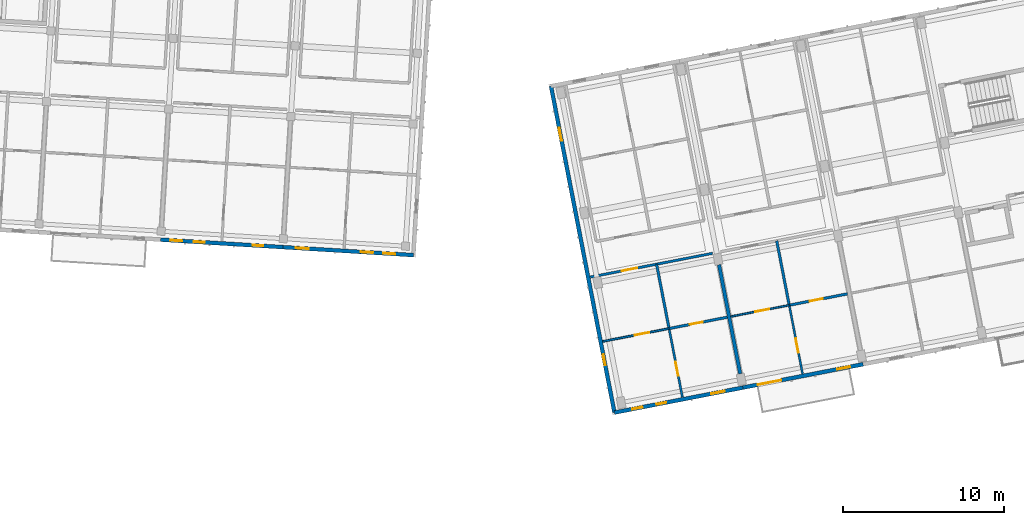
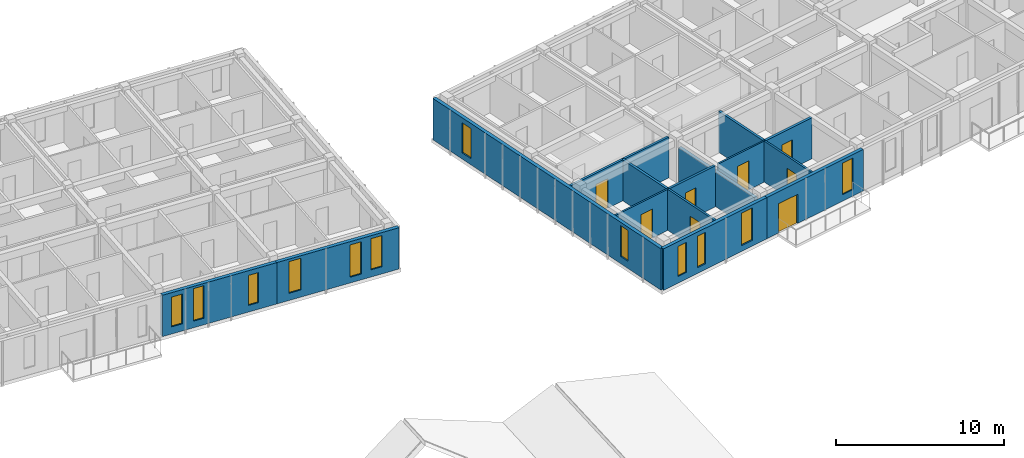
# One storey, part 20 of 74: 15 walls, 12 windows, 8 doors, 20 openings.
"""IFC4 building model written with IfcOpenShell, lengths in metres."""

from ifc_helpers import new_model, si_unit, direction, frame, frame_2d, origin, place, context, subcontext, project, spatial, rectangle, extrude, material, layer, layer_set, type_object, element, fill, save


model = new_model("IFC4")

# Units and contexts
model_context = context("Model", 3, precision=1e-05, world=origin(), true_north=direction((0.0, 1.0)))
body_context = subcontext(model_context, "Body", "Model", "MODEL_VIEW")
ifc_project = project(units=[si_unit("LENGTHUNIT", "METRE"), si_unit("AREAUNIT", "SQUARE_METRE"), si_unit("VOLUMEUNIT", "CUBIC_METRE"), si_unit("PLANEANGLEUNIT", "RADIAN"), si_unit("MASSUNIT", "GRAM", prefix="KILO")], contexts=[model_context])

# Site, building, storey
site_placement = place(None, origin())
site = spatial("IfcSite", under=ifc_project, at=site_placement, CompositionType="ELEMENT")
building_placement = place(site_placement, origin())
building = spatial("IfcBuilding", under=site, at=building_placement, Name="Kestramere Prow Commons", CompositionType="ELEMENT")
storey_placement = place(building_placement, frame((0.0, 0.0, 11.64990234375)))
storey = spatial("IfcBuildingStorey", under=building, at=storey_placement, Name="L03", CompositionType="ELEMENT", Elevation=11.64990234375)

# Wall, openings, windows
ifc_material_1 = material(Name="Fluoropolymer Standing-Seam Zinc-Aluminium Cladding", Category="aluminium")
ifc_layer_1 = layer(ifc_material_1, 0.239990234375)
ifc_layer_set_1 = layer_set([ifc_layer_1], Name="Fluoropolymer Standing-Seam Zinc-Aluminium Cladding")
wall_type_1 = type_object("IfcWallType", Name="EW-SEAM-240", PredefinedType="SOLIDWALL", material=ifc_layer_set_1)
wall_1_placement = place(storey_placement, frame((97.39697265625, 43.65625, 0.0), z_axis=(0.0, 0.0, 1.0), x_axis=(-0.998135549572, 0.061036257095, 0.0)))
wall_1 = element("IfcWall", 1, at=wall_1_placement, inside=storey, type_object=wall_type_1, Name="Block C L03 South Standing-Seam Wall 5", PredefinedType="SOLIDWALL", context=body_context, shape_type="SweptSolid", body=[
    extrude(rectangle(XDim=7.599853515625, YDim=0.239990234375, at=frame_2d((3.7998046875, 0.0))), origin(), (0.0, 0.0, 1.0), 3.0),
])
opening_1_placement = place(wall_1_placement, frame((1.231201171875, 0.0, 0.47998046875)))
opening_1 = element("IfcOpeningElement", 2, at=opening_1_placement, cuts=wall_1, Name="Opening WN-04", PredefinedType="OPENING", context=body_context, shape_type="SweptSolid", body=[
    extrude(rectangle(XDim=0.639892578125, YDim=2.179931640625, at=frame_2d((0.31982421875, 1.08984375))), frame((0.0, 0.135009765625, 0.0), z_axis=(0.0, -1.0, 0.0), x_axis=(1.0, 0.0, 0.0)), (0.0, 0.0, 1.0), 0.27001953125),
])
opening_2_placement = place(wall_1_placement, frame((4.847900390625, 0.0, 0.47998046875)))
opening_2 = element("IfcOpeningElement", 3, at=opening_2_placement, cuts=wall_1, Name="Opening WN-07", PredefinedType="OPENING", context=body_context, shape_type="SweptSolid", body=[
    extrude(rectangle(XDim=0.699951171875, YDim=2.360107421875, at=frame_2d((0.35009765625, 1.18017578125))), frame((0.0, 0.135009765625, 0.0), z_axis=(0.0, -1.0, 0.0), x_axis=(1.0, 0.0, 0.0)), (0.0, 0.0, 1.0), 0.27001953125),
])
opening_3_placement = place(wall_1_placement, frame((6.27001953125, 0.0, 0.52001953125)))
opening_3 = element("IfcOpeningElement", 4, at=opening_3_placement, cuts=wall_1, Name="Opening WN-08", PredefinedType="OPENING", context=body_context, shape_type="SweptSolid", body=[
    extrude(rectangle(XDim=0.719970703125, YDim=2.159912109375, at=frame_2d((0.35986328125, 1.080078125))), frame((0.0, 0.135009765625, 0.0), z_axis=(0.0, -1.0, 0.0), x_axis=(1.0, 0.0, 0.0)), (0.0, 0.0, 1.0), 0.27001953125),
])
ifc_material_2 = material(Name="Low-E Laminated Double Glazing", Category="glass")
window_type_1 = type_object("IfcWindowType", Name="WN-NAR-640A", PartitioningType="SINGLE_PANEL", PredefinedType="WINDOW", material=ifc_material_2)
window_1_placement = place(opening_1_placement, origin())
window_1 = element("IfcWindow", 5, at=window_1_placement, inside=storey, type_object=window_type_1, Name="WN-C-L03-S-4-00", OverallHeight=2.179931640625, OverallWidth=0.639892578125, PartitioningType="SINGLE_PANEL", PredefinedType="WINDOW", context=body_context, shape_type="SweptSolid", body=[
    extrude(rectangle(XDim=0.639892578125, YDim=2.179931640625, at=frame_2d((0.31982421875, 1.08984375))), frame((0.0, 0.030029296875, 0.0), z_axis=(0.0, -1.0, 0.0), x_axis=(1.0, 0.0, 0.0)), (0.0, 0.0, 1.0), 0.06005859375),
])
fill(opening_1, window_1)
window_type_2 = type_object("IfcWindowType", Name="WN-NAR-700A", PartitioningType="SINGLE_PANEL", PredefinedType="WINDOW", material=ifc_material_2)
window_2_placement = place(opening_2_placement, origin())
window_2 = element("IfcWindow", 6, at=window_2_placement, inside=storey, type_object=window_type_2, Name="WN-C-L03-S-4-10", OverallHeight=2.360107421875, OverallWidth=0.699951171875, PartitioningType="SINGLE_PANEL", PredefinedType="WINDOW", context=body_context, shape_type="SweptSolid", body=[
    extrude(rectangle(XDim=0.699951171875, YDim=2.360107421875, at=frame_2d((0.35009765625, 1.18017578125))), frame((0.0, 0.030029296875, 0.0), z_axis=(0.0, -1.0, 0.0), x_axis=(1.0, 0.0, 0.0)), (0.0, 0.0, 1.0), 0.06005859375),
])
fill(opening_2, window_2)
window_type_3 = type_object("IfcWindowType", Name="WN-NAR-720A", PartitioningType="SINGLE_PANEL", PredefinedType="WINDOW", material=ifc_material_2)
window_3_placement = place(opening_3_placement, origin())
window_3 = element("IfcWindow", 7, at=window_3_placement, inside=storey, type_object=window_type_3, Name="WN-C-L03-S-4-11", OverallHeight=2.159912109375, OverallWidth=0.719970703125, PartitioningType="SINGLE_PANEL", PredefinedType="WINDOW", context=body_context, shape_type="SweptSolid", body=[
    extrude(rectangle(XDim=0.719970703125, YDim=2.159912109375, at=frame_2d((0.35986328125, 1.080078125))), frame((0.0, 0.030029296875, 0.0), z_axis=(0.0, -1.0, 0.0), x_axis=(1.0, 0.0, 0.0)), (0.0, 0.0, 1.0), 0.06005859375),
])
fill(opening_3, window_3)

wall_2_placement = place(storey_placement, frame((105.5068359375, 43.16015625, 0.0), z_axis=(0.0, 0.0, 1.0), x_axis=(-0.998134248939, 0.061057522844, 0.0)))
wall_2 = element("IfcWall", 8, at=wall_2_placement, inside=storey, type_object=wall_type_1, Name="Block C L03 South Standing-Seam Wall 6", PredefinedType="SOLIDWALL", context=body_context, shape_type="SweptSolid", body=[
    extrude(rectangle(XDim=8.125, YDim=0.239990234375, at=frame_2d((4.0625, 0.0))), origin(), (0.0, 0.0, 1.0), 3.0),
])
opening_4_placement = place(wall_2_placement, frame((1.135009765625, 0.0, 0.52001953125)))
opening_4 = element("IfcOpeningElement", 9, at=opening_4_placement, cuts=wall_2, Name="Opening WN-09", PredefinedType="OPENING", context=body_context, shape_type="SweptSolid", body=[
    extrude(rectangle(XDim=0.739990234375, YDim=2.260009765625, at=frame_2d((0.3701171875, 1.1298828125))), frame((0.0, 0.135009765625, 0.0), z_axis=(0.0, -1.0, 0.0), x_axis=(1.0, 0.0, 0.0)), (0.0, 0.0, 1.0), 0.27001953125),
])
opening_5_placement = place(wall_2_placement, frame((2.51708984375, 0.0, 0.419921875)))
opening_5 = element("IfcOpeningElement", 10, at=opening_5_placement, cuts=wall_2, Name="Opening WN-10", PredefinedType="OPENING", context=body_context, shape_type="SweptSolid", body=[
    extrude(rectangle(XDim=0.760009765625, YDim=2.340087890625, at=frame_2d((0.3798828125, 1.169921875))), frame((0.0, 0.135009765625, 0.0), z_axis=(0.0, -1.0, 0.0), x_axis=(1.0, 0.0, 0.0)), (0.0, 0.0, 1.0), 0.27001953125),
])
opening_6_placement = place(wall_2_placement, frame((6.51171875, 0.0, 0.52001953125)))
opening_6 = element("IfcOpeningElement", 11, at=opening_6_placement, cuts=wall_2, Name="Opening WN-12", PredefinedType="OPENING", context=body_context, shape_type="SweptSolid", body=[
    extrude(rectangle(XDim=0.800048828125, YDim=2.300048828125, at=frame_2d((0.39990234375, 1.14990234375))), frame((0.0, 0.135009765625, 0.0), z_axis=(0.0, -1.0, 0.0), x_axis=(1.0, 0.0, 0.0)), (0.0, 0.0, 1.0), 0.27001953125),
])
window_type_4 = type_object("IfcWindowType", Name="WN-NAR-740A", PartitioningType="SINGLE_PANEL", PredefinedType="WINDOW", material=ifc_material_2)
window_4_placement = place(opening_4_placement, origin())
window_4 = element("IfcWindow", 12, at=window_4_placement, inside=storey, type_object=window_type_4, Name="WN-C-L03-S-5-00", OverallHeight=2.260009765625, OverallWidth=0.739990234375, PartitioningType="SINGLE_PANEL", PredefinedType="WINDOW", context=body_context, shape_type="SweptSolid", body=[
    extrude(rectangle(XDim=0.739990234375, YDim=2.260009765625, at=frame_2d((0.3701171875, 1.1298828125))), frame((0.0, 0.030029296875, 0.0), z_axis=(0.0, -1.0, 0.0), x_axis=(1.0, 0.0, 0.0)), (0.0, 0.0, 1.0), 0.06005859375),
])
fill(opening_4, window_4)
window_type_5 = type_object("IfcWindowType", Name="WN-NAR-760A", PartitioningType="SINGLE_PANEL", PredefinedType="WINDOW", material=ifc_material_2)
window_5_placement = place(opening_5_placement, origin())
window_5 = element("IfcWindow", 13, at=window_5_placement, inside=storey, type_object=window_type_5, Name="WN-C-L03-S-5-01", OverallHeight=2.340087890625, OverallWidth=0.760009765625, PartitioningType="SINGLE_PANEL", PredefinedType="WINDOW", context=body_context, shape_type="SweptSolid", body=[
    extrude(rectangle(XDim=0.760009765625, YDim=2.340087890625, at=frame_2d((0.3798828125, 1.169921875))), frame((0.0, 0.030029296875, 0.0), z_axis=(0.0, -1.0, 0.0), x_axis=(1.0, 0.0, 0.0)), (0.0, 0.0, 1.0), 0.06005859375),
])
fill(opening_5, window_5)
window_type_6 = type_object("IfcWindowType", Name="WN-NAR-800A", PartitioningType="SINGLE_PANEL", PredefinedType="WINDOW", material=ifc_material_2)
window_6_placement = place(opening_6_placement, origin())
window_6 = element("IfcWindow", 14, at=window_6_placement, inside=storey, type_object=window_type_6, Name="WN-C-L03-S-5-10", OverallHeight=2.300048828125, OverallWidth=0.800048828125, PartitioningType="SINGLE_PANEL", PredefinedType="WINDOW", context=body_context, shape_type="SweptSolid", body=[
    extrude(rectangle(XDim=0.800048828125, YDim=2.300048828125, at=frame_2d((0.39990234375, 1.14990234375))), frame((0.0, 0.030029296875, 0.0), z_axis=(0.0, -1.0, 0.0), x_axis=(1.0, 0.0, 0.0)), (0.0, 0.0, 1.0), 0.06005859375),
])
fill(opening_6, window_6)

wall_3_placement = place(storey_placement, frame((125.96044921875, 34.934814453125, 0.0), z_axis=(0.0, 0.0, 1.0), x_axis=(-0.981627273155, -0.190808533872, 0.0)))
wall_3 = element("IfcWall", 15, at=wall_3_placement, inside=storey, type_object=wall_type_1, Name="Block D L03 South Standing-Seam Wall 1", PredefinedType="SOLIDWALL", context=body_context, shape_type="SweptSolid", body=[
    extrude(rectangle(XDim=8.124755859375, YDim=0.239990234375, at=frame_2d((4.0625, 0.0))), origin(), (0.0, 0.0, 1.0), 3.0),
])
opening_7_placement = place(wall_3_placement, frame((1.138916015625, 0.0, 0.419921875)))
opening_7 = element("IfcOpeningElement", 16, at=opening_7_placement, cuts=wall_3, Name="Opening WN-15", PredefinedType="OPENING", context=body_context, shape_type="SweptSolid", body=[
    extrude(rectangle(XDim=0.860107421875, YDim=2.360107421875, at=frame_2d((0.43017578125, 1.18017578125))), frame((0.0, 0.135009765625, 0.0), z_axis=(0.0, -1.0, 0.0), x_axis=(1.0, 0.0, 0.0)), (0.0, 0.0, 1.0), 0.27001953125),
])
opening_8_placement = place(wall_3_placement, frame((4.847900390625, 0.0, 0.419921875)))
opening_8 = element("IfcOpeningElement", 17, at=opening_8_placement, cuts=wall_3, Name="Opening WN-03", PredefinedType="OPENING", context=body_context, shape_type="SweptSolid", body=[
    extrude(rectangle(XDim=0.6201171875, YDim=2.280029296875, at=frame_2d((0.31005859375, 1.14013671875))), frame((0.0, 0.135009765625, 0.0), z_axis=(0.0, -1.0, 0.0), x_axis=(1.0, 0.0, 0.0)), (0.0, 0.0, 1.0), 0.27001953125),
])
opening_9_placement = place(wall_3_placement, frame((6.35009765625, 0.0, 0.47998046875)))
opening_9 = element("IfcOpeningElement", 18, at=opening_9_placement, cuts=wall_3, Name="Opening WN-04", PredefinedType="OPENING", context=body_context, shape_type="SweptSolid", body=[
    extrude(rectangle(XDim=0.639892578125, YDim=2.179931640625, at=frame_2d((0.31982421875, 1.08984375))), frame((0.0, 0.135009765625, 0.0), z_axis=(0.0, -1.0, 0.0), x_axis=(1.0, 0.0, 0.0)), (0.0, 0.0, 1.0), 0.27001953125),
])
window_type_7 = type_object("IfcWindowType", Name="WN-NAR-620A", PartitioningType="SINGLE_PANEL", PredefinedType="WINDOW", material=ifc_material_2)
window_7_placement = place(opening_8_placement, origin())
window_7 = element("IfcWindow", 19, at=window_7_placement, inside=storey, type_object=window_type_7, Name="WN-D-L03-S-0-10", OverallHeight=2.280029296875, OverallWidth=0.6201171875, PartitioningType="SINGLE_PANEL", PredefinedType="WINDOW", context=body_context, shape_type="SweptSolid", body=[
    extrude(rectangle(XDim=0.6201171875, YDim=2.280029296875, at=frame_2d((0.31005859375, 1.14013671875))), frame((0.0, 0.030029296875, 0.0), z_axis=(0.0, -1.0, 0.0), x_axis=(1.0, 0.0, 0.0)), (0.0, 0.0, 1.0), 0.06005859375),
])
fill(opening_8, window_7)
window_8_placement = place(opening_9_placement, origin())
window_8 = element("IfcWindow", 20, at=window_8_placement, inside=storey, type_object=window_type_1, Name="WN-D-L03-S-0-11", OverallHeight=2.179931640625, OverallWidth=0.639892578125, PartitioningType="SINGLE_PANEL", PredefinedType="WINDOW", context=body_context, shape_type="SweptSolid", body=[
    extrude(rectangle(XDim=0.639892578125, YDim=2.179931640625, at=frame_2d((0.31982421875, 1.08984375))), frame((0.0, 0.030029296875, 0.0), z_axis=(0.0, -1.0, 0.0), x_axis=(1.0, 0.0, 0.0)), (0.0, 0.0, 1.0), 0.06005859375),
])
fill(opening_9, window_8)
window_type_8 = type_object("IfcWindowType", Name="WN-NAR-860A", PartitioningType="DOUBLE_PANEL_VERTICAL", PredefinedType="WINDOW", material=ifc_material_2)
window_9_placement = place(opening_7_placement, origin())
window_9 = element("IfcWindow", 21, at=window_9_placement, inside=storey, type_object=window_type_8, Name="WN-D-L03-S-0-00", OverallHeight=2.360107421875, OverallWidth=0.860107421875, PartitioningType="SINGLE_PANEL", PredefinedType="WINDOW", context=body_context, shape_type="SweptSolid", body=[
    extrude(rectangle(XDim=0.860107421875, YDim=2.360107421875, at=frame_2d((0.43017578125, 1.18017578125))), frame((0.0, 0.030029296875, 0.0), z_axis=(0.0, -1.0, 0.0), x_axis=(1.0, 0.0, 0.0)), (0.0, 0.0, 1.0), 0.06005859375),
])
fill(opening_7, window_9)

# Wall, openings, door, window
wall_4_placement = place(storey_placement, frame((133.4208984375, 36.385009765625, 0.0), z_axis=(0.0, 0.0, 1.0), x_axis=(-0.981626422232, -0.190812911449, 0.0)))
wall_4 = element("IfcWall", 22, at=wall_4_placement, inside=storey, type_object=wall_type_1, Name="Block D L03 South Standing-Seam Wall 2", PredefinedType="SOLIDWALL", context=body_context, shape_type="SweptSolid", body=[
    extrude(rectangle(XDim=7.60009765625, YDim=0.239990234375, at=frame_2d((3.800048828125, 0.0))), origin(), (0.0, 0.0, 1.0), 3.0),
])
opening_10_placement = place(wall_4_placement, frame((5.1689453125, 0.0, 0.0)))
opening_10 = element("IfcOpeningElement", 23, at=opening_10_placement, cuts=wall_4, Name="Opening GD-BAL-01", PredefinedType="OPENING", context=body_context, shape_type="SweptSolid", body=[
    extrude(rectangle(XDim=1.5, YDim=2.1201171875, at=frame_2d((0.75, 1.06005859375))), frame((0.0, 0.135009765625, 0.0), z_axis=(0.0, -1.0, 0.0), x_axis=(1.0, 0.0, 0.0)), (0.0, 0.0, 1.0), 0.27001953125),
])
opening_11_placement = place(wall_4_placement, frame((0.830078125, 0.0, 0.4599609375)))
opening_11 = element("IfcOpeningElement", 24, at=opening_11_placement, cuts=wall_4, Name="Opening WN-12", PredefinedType="OPENING", context=body_context, shape_type="SweptSolid", body=[
    extrude(rectangle(XDim=0.800048828125, YDim=2.300048828125, at=frame_2d((0.39990234375, 1.14990234375))), frame((0.0, 0.135009765625, 0.0), z_axis=(0.0, -1.0, 0.0), x_axis=(1.0, 0.0, 0.0)), (0.0, 0.0, 1.0), 0.27001953125),
])
ifc_material_3 = material(Name="Thermally-Broken Anodised Aluminium Glazed", Category="aluminium")
door_type_1 = type_object("IfcDoorType", Name="GD-BAL-1500", OperationType="SLIDING_TO_RIGHT", PredefinedType="DOOR", material=ifc_material_3)
door_1_placement = place(opening_10_placement, origin())
door_1 = element("IfcDoor", 25, at=door_1_placement, inside=storey, type_object=door_type_1, Name="Block D L03 Balcony Door 2", OperationType="SLIDING_TO_RIGHT", OverallHeight=2.1201171875, OverallWidth=1.5, PredefinedType="DOOR", context=body_context, shape_type="SweptSolid", body=[
    extrude(rectangle(XDim=1.5, YDim=2.1201171875, at=frame_2d((0.75, 1.06005859375))), frame((0.0, 0.02490234375, 0.0), z_axis=(0.0, -1.0, 0.0), x_axis=(1.0, 0.0, 0.0)), (0.0, 0.0, 1.0), 0.050048828125),
])
fill(opening_10, door_1)
window_10_placement = place(opening_11_placement, origin())
window_10 = element("IfcWindow", 26, at=window_10_placement, inside=storey, type_object=window_type_6, Name="WN-D-L03-SR-1", OverallHeight=2.300048828125, OverallWidth=0.800048828125, PartitioningType="SINGLE_PANEL", PredefinedType="WINDOW", context=body_context, shape_type="SweptSolid", body=[
    extrude(rectangle(XDim=0.800048828125, YDim=2.300048828125, at=frame_2d((0.39990234375, 1.14990234375))), frame((0.0, 0.030029296875, 0.0), z_axis=(0.0, -1.0, 0.0), x_axis=(1.0, 0.0, 0.0)), (0.0, 0.0, 1.0), 0.06005859375),
])
fill(opening_11, window_10)

# Wall, openings, windows
wall_5_placement = place(storey_placement, frame((117.98486328125, 33.384521484375, 0.0), z_axis=(0.0, 0.0, 1.0), x_axis=(-0.190808900739, 0.981627201843, 0.0)))
wall_5 = element("IfcWall", 27, at=wall_5_placement, inside=storey, type_object=wall_type_1, Name="Block D L03 EAV Facet Wall", PredefinedType="SOLIDWALL", context=body_context, shape_type="SweptSolid", body=[
    extrude(rectangle(XDim=20.64990234375, YDim=0.239990234375, at=frame_2d((10.324951171875, 0.0))), origin(), (0.0, 0.0, 1.0), 3.0),
])
opening_12_placement = place(wall_5_placement, frame((2.989990234375, 0.0, 0.52001953125)))
opening_12 = element("IfcOpeningElement", 28, at=opening_12_placement, cuts=wall_5, Name="Opening WN-06", PredefinedType="OPENING", context=body_context, shape_type="SweptSolid", body=[
    extrude(rectangle(XDim=0.679931640625, YDim=2.239990234375, at=frame_2d((0.33984375, 1.1201171875))), frame((0.0, 0.135009765625, 0.0), z_axis=(0.0, -1.0, 0.0), x_axis=(1.0, 0.0, 0.0)), (0.0, 0.0, 1.0), 0.27001953125),
])
opening_13_placement = place(wall_5_placement, frame((17.199951171875, 0.0, 0.449951171875)))
opening_13 = element("IfcOpeningElement", 29, at=opening_13_placement, cuts=wall_5, Name="Opening WN-13", PredefinedType="OPENING", context=body_context, shape_type="SweptSolid", body=[
    extrude(rectangle(XDim=0.820068359375, YDim=2.179931640625, at=frame_2d((0.41015625, 1.08984375))), frame((0.0, 0.135009765625, 0.0), z_axis=(0.0, -1.0, 0.0), x_axis=(1.0, 0.0, 0.0)), (0.0, 0.0, 1.0), 0.27001953125),
])
window_type_9 = type_object("IfcWindowType", Name="WN-NAR-680A", PartitioningType="SINGLE_PANEL", PredefinedType="WINDOW", material=ifc_material_2)
window_11_placement = place(opening_12_placement, origin())
window_11 = element("IfcWindow", 30, at=window_11_placement, inside=storey, type_object=window_type_9, Name="WN-D-L03-EAV-0", OverallHeight=2.239990234375, OverallWidth=0.679931640625, PartitioningType="SINGLE_PANEL", PredefinedType="WINDOW", context=body_context, shape_type="SweptSolid", body=[
    extrude(rectangle(XDim=0.679931640625, YDim=2.239990234375, at=frame_2d((0.33984375, 1.1201171875))), frame((0.0, 0.030029296875, 0.0), z_axis=(0.0, -1.0, 0.0), x_axis=(1.0, 0.0, 0.0)), (0.0, 0.0, 1.0), 0.06005859375),
])
fill(opening_12, window_11)
window_type_10 = type_object("IfcWindowType", Name="WN-NAR-820A", PartitioningType="DOUBLE_PANEL_VERTICAL", PredefinedType="WINDOW", material=ifc_material_2)
window_12_placement = place(opening_13_placement, origin())
window_12 = element("IfcWindow", 31, at=window_12_placement, inside=storey, type_object=window_type_10, Name="WN-D-L03-EAV-1", OverallHeight=2.179931640625, OverallWidth=0.820068359375, PartitioningType="SINGLE_PANEL", PredefinedType="WINDOW", context=body_context, shape_type="SweptSolid", body=[
    extrude(rectangle(XDim=0.820068359375, YDim=2.179931640625, at=frame_2d((0.41015625, 1.08984375))), frame((0.0, 0.030029296875, 0.0), z_axis=(0.0, -1.0, 0.0), x_axis=(1.0, 0.0, 0.0)), (0.0, 0.0, 1.0), 0.06005859375),
])
fill(opening_13, window_12)

# Wall, opening, door
ifc_material_4 = material(Name="Fire-Rated Calcium Silicate Wall")
ifc_layer_2 = layer(ifc_material_4, 0.155029296875)
ifc_layer_set_2 = layer_set([ifc_layer_2], Name="Fire-Rated Calcium Silicate Wall")
wall_type_2 = type_object("IfcWallType", Name="W-FIRE-150", PredefinedType="PARTITIONING", material=ifc_layer_set_2)
wall_6_placement = place(storey_placement, frame((116.48193359375, 41.79736328125, 0.0), z_axis=(0.0, 0.0, 1.0), x_axis=(0.981629678105, 0.190796161028, 0.0)))
wall_6 = element("IfcWall", 32, at=wall_6_placement, inside=storey, type_object=wall_type_2, Name="Interior Partition PW-D-L03-CS-0", PredefinedType="PARTITIONING", context=body_context, shape_type="SweptSolid", body=[
    extrude(rectangle(XDim=7.735107421875, YDim=0.155029296875, at=frame_2d((3.86767578125, 0.0))), origin(), (0.0, 0.0, 1.0), 2.97021484375),
])
opening_14_placement = place(wall_6_placement, frame((1.985107421875, 0.0, 0.0)))
opening_14 = element("IfcOpeningElement", 33, at=opening_14_placement, cuts=wall_6, Name="Opening ID-04", PredefinedType="OPENING", context=body_context, shape_type="SweptSolid", body=[
    extrude(rectangle(XDim=0.97998046875, YDim=2.14990234375, at=frame_2d((0.489990234375, 1.074951171875))), frame((0.0, 0.092529296875, 0.0), z_axis=(0.0, -1.0, 0.0), x_axis=(1.0, 0.0, 0.0)), (0.0, 0.0, 1.0), 0.18505859375),
])
ifc_material_5 = material(Name="Hardwood Fire-Rated Flat Entrance Door", Category="wood")
door_type_2 = type_object("IfcDoorType", Name="FD-ENT-01", OperationType="NOTDEFINED", PredefinedType="DOOR", material=ifc_material_5)
door_2_placement = place(opening_14_placement, origin())
door_2 = element("IfcDoor", 34, at=door_2_placement, inside=storey, type_object=door_type_2, Name="Interior Door DR-D-L03-ENT-S0", OperationType="SINGLE_SWING_RIGHT", OverallHeight=2.14990234375, OverallWidth=0.97998046875, PredefinedType="DOOR", context=body_context, shape_type="SweptSolid", body=[
    extrude(rectangle(XDim=0.97998046875, YDim=2.14990234375, at=frame_2d((0.489990234375, 1.074951171875))), frame((0.0, 0.02490234375, 0.0), z_axis=(0.0, -1.0, 0.0), x_axis=(1.0, 0.0, 0.0)), (0.0, 0.0, 1.0), 0.050048828125),
])
fill(opening_14, door_2)

ifc_material_6 = material(Name="Gypsum Acoustic Drywall")
ifc_layer_3 = layer(ifc_material_6, 0.110107421875)
ifc_layer_set_3 = layer_set([ifc_layer_3], Name="Gypsum Acoustic Drywall")
wall_type_3 = type_object("IfcWallType", Name="W-PART-110", PredefinedType="PARTITIONING", material=ifc_layer_set_3)
wall_7_placement = place(storey_placement, frame((125.219482421875, 39.349609375, 0.0), z_axis=(0.0, 0.0, 1.0), x_axis=(0.981628834294, 0.190800502313, 0.0)))
wall_7 = element("IfcWall", 35, at=wall_7_placement, inside=storey, type_object=wall_type_3, Name="Interior Partition PW-D-L03-MIDS1-1", PredefinedType="PARTITIONING", context=body_context, shape_type="SweptSolid", body=[
    extrude(rectangle(XDim=3.68505859375, YDim=0.110107421875, at=frame_2d((1.842529296875, 0.0))), origin(), (0.0, 0.0, 1.0), 2.97021484375),
])
opening_15_placement = place(wall_7_placement, frame((1.52490234375, 0.0, 0.0)))
opening_15 = element("IfcOpeningElement", 36, at=opening_15_placement, cuts=wall_7, Name="Opening ID-08", PredefinedType="OPENING", context=body_context, shape_type="SweptSolid", body=[
    extrude(rectangle(XDim=0.89990234375, YDim=2.10009765625, at=frame_2d((0.449951171875, 1.050048828125))), frame((0.0, 0.070068359375, 0.0), z_axis=(0.0, -1.0, 0.0), x_axis=(1.0, 0.0, 0.0)), (0.0, 0.0, 1.0), 0.14013671875),
])
ifc_material_7 = material(Name="Engineered Timber Flush Door", Category="wood")
door_type_3 = type_object("IfcDoorType", Name="D-RM-01", OperationType="NOTDEFINED", PredefinedType="DOOR", material=ifc_material_7)
door_3_placement = place(opening_15_placement, origin())
door_3 = element("IfcDoor", 37, at=door_3_placement, inside=storey, type_object=door_type_3, Name="Interior Door DR-D-L03-KL-S1", OperationType="SINGLE_SWING_RIGHT", OverallHeight=2.10009765625, OverallWidth=0.89990234375, PredefinedType="DOOR", context=body_context, shape_type="SweptSolid", body=[
    extrude(rectangle(XDim=0.89990234375, YDim=2.10009765625, at=frame_2d((0.449951171875, 1.050048828125))), frame((0.0, 0.02490234375, 0.0), z_axis=(0.0, -1.0, 0.0), x_axis=(1.0, 0.0, 0.0)), (0.0, 0.0, 1.0), 0.050048828125),
])
fill(opening_15, door_3)

ifc_material_8 = material(Name="Lightweight Blockwork and Plaster", Category="masonry")
ifc_layer_4 = layer(ifc_material_8, 0.1201171875)
ifc_layer_set_4 = layer_set([ifc_layer_4], Name="Lightweight Blockwork and Plaster")
wall_type_4 = type_object("IfcWallType", Name="W-PART-120", PredefinedType="PARTITIONING", material=ifc_layer_set_4)
wall_8_placement = place(storey_placement, frame((117.258544921875, 37.802001953125, 0.0), z_axis=(0.0, 0.0, 1.0), x_axis=(0.981622961106, 0.19083071616, 0.0)))
wall_8 = element("IfcWall", 38, at=wall_8_placement, inside=storey, type_object=wall_type_4, Name="Interior Partition PW-D-L03-MIDS1-0", PredefinedType="PARTITIONING", context=body_context, shape_type="SweptSolid", body=[
    extrude(rectangle(XDim=4.195068359375, YDim=0.1201171875, at=frame_2d((2.09765625, 0.0))), origin(), (0.0, 0.0, 1.0), 2.97021484375),
])
opening_16_placement = place(wall_8_placement, frame((2.034912109375, 0.0, 0.0)))
opening_16 = element("IfcOpeningElement", 39, at=opening_16_placement, cuts=wall_8, Name="Opening ID-08", PredefinedType="OPENING", context=body_context, shape_type="SweptSolid", body=[
    extrude(rectangle(XDim=0.89990234375, YDim=2.10009765625, at=frame_2d((0.449951171875, 1.050048828125))), frame((0.0, 0.074951171875, 0.0), z_axis=(0.0, -1.0, 0.0), x_axis=(1.0, 0.0, 0.0)), (0.0, 0.0, 1.0), 0.150146484375),
])
door_4_placement = place(opening_16_placement, origin())
door_4 = element("IfcDoor", 40, at=door_4_placement, inside=storey, type_object=door_type_3, Name="Interior Door DR-D-L03-KL-S0", OperationType="SINGLE_SWING_RIGHT", OverallHeight=2.10009765625, OverallWidth=0.89990234375, PredefinedType="DOOR", context=body_context, shape_type="SweptSolid", body=[
    extrude(rectangle(XDim=0.89990234375, YDim=2.10009765625, at=frame_2d((0.449951171875, 1.050048828125))), frame((0.0, 0.02490234375, 0.0), z_axis=(0.0, -1.0, 0.0), x_axis=(1.0, 0.0, 0.0)), (0.0, 0.0, 1.0), 0.050048828125),
])
fill(opening_16, door_4)

ifc_layer_5 = layer(ifc_material_8, 0.1298828125)
ifc_layer_set_5 = layer_set([ifc_layer_5], Name="Lightweight Blockwork and Plaster")
wall_type_5 = type_object("IfcWallType", Name="W-PART-130", PredefinedType="PARTITIONING", material=ifc_layer_set_5)
wall_9_placement = place(storey_placement, frame((129.6650390625, 35.79248046875, 0.0), z_axis=(0.0, 0.0, 1.0), x_axis=(-0.190812443151, 0.981626513262, 0.0)))
wall_9 = element("IfcWall", 41, at=wall_9_placement, inside=storey, type_object=wall_type_5, Name="Interior Partition PW-D-L03-LB-S1", PredefinedType="PARTITIONING", context=body_context, shape_type="SweptSolid", body=[
    extrude(rectangle(XDim=4.340087890625, YDim=0.1298828125, at=frame_2d((2.169921875, 0.0))), origin(), (0.0, 0.0, 1.0), 2.97021484375),
])
opening_17_placement = place(wall_9_placement, frame((1.35009765625, 0.0, 0.0)))
opening_17 = element("IfcOpeningElement", 42, at=opening_17_placement, cuts=wall_9, Name="Opening ID-10", PredefinedType="OPENING", context=body_context, shape_type="SweptSolid", body=[
    extrude(rectangle(XDim=0.8798828125, YDim=2.10009765625, at=frame_2d((0.43994140625, 1.050048828125))), frame((0.0, 0.079833984375, 0.0), z_axis=(0.0, -1.0, 0.0), x_axis=(1.0, 0.0, 0.0)), (0.0, 0.0, 1.0), 0.159912109375),
])
ifc_material_9 = material(Name="Engineered Timber Bedroom Door", Category="wood")
door_type_4 = type_object("IfcDoorType", Name="D-RM-03", OperationType="NOTDEFINED", PredefinedType="DOOR", material=ifc_material_9)
door_5_placement = place(opening_17_placement, origin())
door_5 = element("IfcDoor", 43, at=door_5_placement, inside=storey, type_object=door_type_4, Name="Interior Door DR-D-L03-BED-S1", OperationType="SINGLE_SWING_RIGHT", OverallHeight=2.10009765625, OverallWidth=0.8798828125, PredefinedType="DOOR", context=body_context, shape_type="SweptSolid", body=[
    extrude(rectangle(XDim=0.8798828125, YDim=2.10009765625, at=frame_2d((0.43994140625, 1.050048828125))), frame((0.0, 0.02490234375, 0.0), z_axis=(0.0, -1.0, 0.0), x_axis=(1.0, 0.0, 0.0)), (0.0, 0.0, 1.0), 0.050048828125),
])
fill(opening_17, door_5)

ifc_material_10 = material(Name="Masonry Compartment Wall", Category="masonry")
ifc_layer_6 = layer(ifc_material_10, 0.139892578125)
ifc_layer_set_6 = layer_set([ifc_layer_6], Name="Masonry Compartment Wall")
wall_type_6 = type_object("IfcWallType", Name="W-PART-140", PredefinedType="PARTITIONING", material=ifc_layer_set_6)
wall_10_placement = place(storey_placement, frame((122.20458984375, 34.34228515625, 0.0), z_axis=(0.0, 0.0, 1.0), x_axis=(-0.190812443151, 0.981626513262, 0.0)))
wall_10 = element("IfcWall", 44, at=wall_10_placement, inside=storey, type_object=wall_type_6, Name="Interior Partition PW-D-L03-LB-S0", PredefinedType="PARTITIONING", context=body_context, shape_type="SweptSolid", body=[
    extrude(rectangle(XDim=4.340087890625, YDim=0.139892578125, at=frame_2d((2.169921875, 0.0))), origin(), (0.0, 0.0, 1.0), 2.97021484375),
])
opening_18_placement = place(wall_10_placement, frame((1.35009765625, 0.0, 0.0)))
opening_18 = element("IfcOpeningElement", 45, at=opening_18_placement, cuts=wall_10, Name="Opening ID-08", PredefinedType="OPENING", context=body_context, shape_type="SweptSolid", body=[
    extrude(rectangle(XDim=0.89990234375, YDim=2.10009765625, at=frame_2d((0.449951171875, 1.050048828125))), frame((0.0, 0.0849609375, 0.0), z_axis=(0.0, -1.0, 0.0), x_axis=(1.0, 0.0, 0.0)), (0.0, 0.0, 1.0), 0.169921875),
])
door_6_placement = place(opening_18_placement, origin())
door_6 = element("IfcDoor", 46, at=door_6_placement, inside=storey, type_object=door_type_3, Name="Interior Door DR-D-L03-BED-S0", OperationType="SINGLE_SWING_LEFT", OverallHeight=2.10009765625, OverallWidth=0.89990234375, PredefinedType="DOOR", context=body_context, shape_type="SweptSolid", body=[
    extrude(rectangle(XDim=0.89990234375, YDim=2.10009765625, at=frame_2d((0.449951171875, 1.050048828125))), frame((0.0, 0.02490234375, 0.0), z_axis=(0.0, -1.0, 0.0), x_axis=(1.0, 0.0, 0.0)), (0.0, 0.0, 1.0), 0.050048828125),
])
fill(opening_18, door_6)

ifc_material_11 = material(Name="Waterproof Sanitary Masonry Wall", Category="masonry")
ifc_layer_7 = layer(ifc_material_11, 0.1650390625)
ifc_layer_set_7 = layer_set([ifc_layer_7], Name="Waterproof Sanitary Masonry Wall")
wall_type_7 = type_object("IfcWallType", Name="W-PLUMB-150", PredefinedType="PLUMBINGWALL", material=ifc_layer_set_7)
wall_11_placement = place(storey_placement, frame((121.37646484375, 38.6025390625, 0.0), z_axis=(0.0, 0.0, 1.0), x_axis=(0.981628834294, 0.190800502313, 0.0)))
wall_11 = element("IfcWall", 47, at=wall_11_placement, inside=storey, type_object=wall_type_7, Name="Interior Partition PW-D-L03-MIDS2-0", PredefinedType="PLUMBINGWALL", context=body_context, shape_type="SweptSolid", body=[
    extrude(rectangle(XDim=3.68505859375, YDim=0.1650390625, at=frame_2d((1.842529296875, 0.0))), origin(), (0.0, 0.0, 1.0), 2.97021484375),
])
opening_19_placement = place(wall_11_placement, frame((1.300048828125, 0.0, 0.0)))
opening_19 = element("IfcOpeningElement", 48, at=opening_19_placement, cuts=wall_11, Name="Opening ID-11", PredefinedType="OPENING", context=body_context, shape_type="SweptSolid", body=[
    extrude(rectangle(XDim=0.820068359375, YDim=2.080078125, at=frame_2d((0.41015625, 1.0400390625))), frame((0.0, 0.097412109375, 0.0), z_axis=(0.0, -1.0, 0.0), x_axis=(1.0, 0.0, 0.0)), (0.0, 0.0, 1.0), 0.195068359375),
])
ifc_material_12 = material(Name="Moisture-Resistant Timber Bathroom Door", Category="wood")
door_type_5 = type_object("IfcDoorType", Name="D-BT-01", OperationType="NOTDEFINED", PredefinedType="DOOR", material=ifc_material_12)
door_7_placement = place(opening_19_placement, origin())
door_7 = element("IfcDoor", 49, at=door_7_placement, inside=storey, type_object=door_type_5, Name="Interior Door DR-D-L03-BTH-S0", OperationType="SINGLE_SWING_LEFT", OverallHeight=2.080078125, OverallWidth=0.820068359375, PredefinedType="DOOR", context=body_context, shape_type="SweptSolid", body=[
    extrude(rectangle(XDim=0.820068359375, YDim=2.080078125, at=frame_2d((0.41015625, 1.0400390625))), frame((0.0, 0.02490234375, 0.0), z_axis=(0.0, -1.0, 0.0), x_axis=(1.0, 0.0, 0.0)), (0.0, 0.0, 1.0), 0.050048828125),
])
fill(opening_19, door_7)

# Wall
wall_12_placement = place(storey_placement, frame((121.37646484375, 38.6025390625, 0.0), z_axis=(0.0, 0.0, 1.0), x_axis=(-0.19081827974, 0.981625378705, 0.0)))
element("IfcWall", 50, at=wall_12_placement, inside=storey, type_object=wall_type_7, Name="Interior Partition PW-D-L03-KB-S0", PredefinedType="PLUMBINGWALL", context=body_context, shape_type="SweptSolid", body=[
    extrude(rectangle(XDim=4.06982421875, YDim=0.1650390625, at=frame_2d((2.034912109375, 0.0))), origin(), (0.0, 0.0, 1.0), 2.97021484375),
])

# Wall, opening, door
wall_13_placement = place(storey_placement, frame((128.8369140625, 40.052734375, 0.0), z_axis=(0.0, 0.0, 1.0), x_axis=(0.981626422232, 0.190812911449, 0.0)))
wall_13 = element("IfcWall", 51, at=wall_13_placement, inside=storey, type_object=wall_type_7, Name="Interior Partition PW-D-L03-MIDS2-1", PredefinedType="PLUMBINGWALL", context=body_context, shape_type="SweptSolid", body=[
    extrude(rectangle(XDim=3.684814453125, YDim=0.1650390625, at=frame_2d((1.84228515625, 0.0))), origin(), (0.0, 0.0, 1.0), 2.97021484375),
])
opening_20_placement = place(wall_13_placement, frame((1.300048828125, 0.0, 0.0)))
opening_20 = element("IfcOpeningElement", 52, at=opening_20_placement, cuts=wall_13, Name="Opening ID-11", PredefinedType="OPENING", context=body_context, shape_type="SweptSolid", body=[
    extrude(rectangle(XDim=0.820068359375, YDim=2.080078125, at=frame_2d((0.41015625, 1.0400390625))), frame((0.0, 0.097412109375, 0.0), z_axis=(0.0, -1.0, 0.0), x_axis=(1.0, 0.0, 0.0)), (0.0, 0.0, 1.0), 0.195068359375),
])
door_8_placement = place(opening_20_placement, origin())
door_8 = element("IfcDoor", 53, at=door_8_placement, inside=storey, type_object=door_type_5, Name="Interior Door DR-D-L03-BTH-S1", OperationType="SINGLE_SWING_LEFT", OverallHeight=2.080078125, OverallWidth=0.820068359375, PredefinedType="DOOR", context=body_context, shape_type="SweptSolid", body=[
    extrude(rectangle(XDim=0.820068359375, YDim=2.080078125, at=frame_2d((0.41015625, 1.0400390625))), frame((0.0, 0.02490234375, 0.0), z_axis=(0.0, -1.0, 0.0), x_axis=(1.0, 0.0, 0.0)), (0.0, 0.0, 1.0), 0.050048828125),
])
fill(opening_20, door_8)

# Walls
wall_14_placement = place(storey_placement, frame((128.8369140625, 40.052734375, 0.0), z_axis=(0.0, 0.0, 1.0), x_axis=(-0.19081827974, 0.981625378705, 0.0)))
element("IfcWall", 54, at=wall_14_placement, inside=storey, type_object=wall_type_7, Name="Interior Partition PW-D-L03-KB-S1", PredefinedType="PLUMBINGWALL", context=body_context, shape_type="SweptSolid", body=[
    extrude(rectangle(XDim=4.06982421875, YDim=0.1650390625, at=frame_2d((2.034912109375, 0.0))), origin(), (0.0, 0.0, 1.0), 2.97021484375),
])
ifc_material_13 = material(Name="Precast concrete C40/50", Category="concrete")
ifc_layer_8 = layer(ifc_material_13, 0.219970703125)
ifc_layer_set_8 = layer_set([ifc_layer_8], Name="Precast concrete C40/50")
wall_type_8 = type_object("IfcWallType", Name="W-XWALL-220", PredefinedType="SHEAR", material=ifc_layer_set_8)
wall_15_placement = place(storey_placement, frame((125.793701171875, 35.793701171875, 0.0), z_axis=(0.0, 0.0, 1.0), x_axis=(-0.190819465253, 0.981625148252, 0.0)))
element("IfcWall", 55, at=wall_15_placement, inside=storey, type_object=wall_type_8, Name="Block D L03 Precast Cross-Wall 1", PredefinedType="SHEAR", context=body_context, shape_type="SweptSolid", body=[
    extrude(rectangle(XDim=6.89990234375, YDim=0.219970703125, at=frame_2d((3.449951171875, 0.0))), origin(), (0.0, 0.0, 1.0), 2.5),
])

save(model, "model.ifc")
